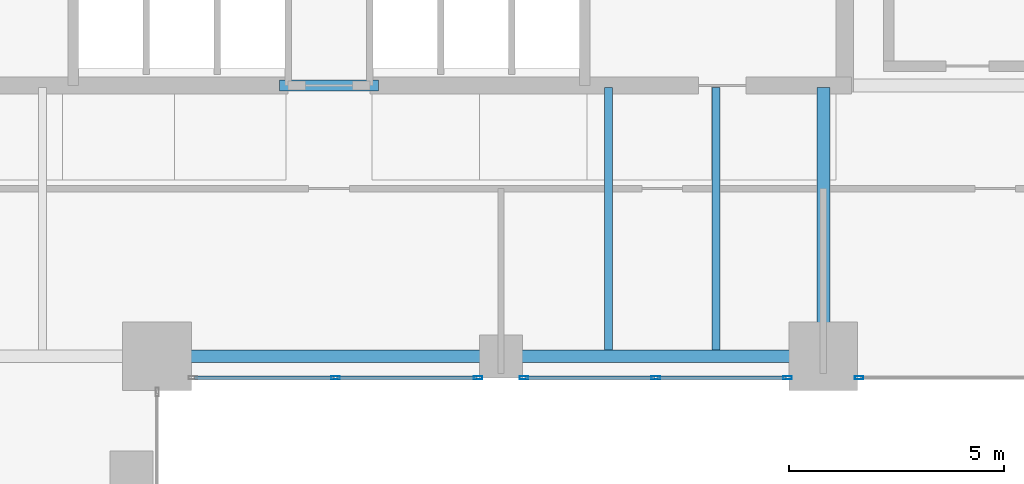
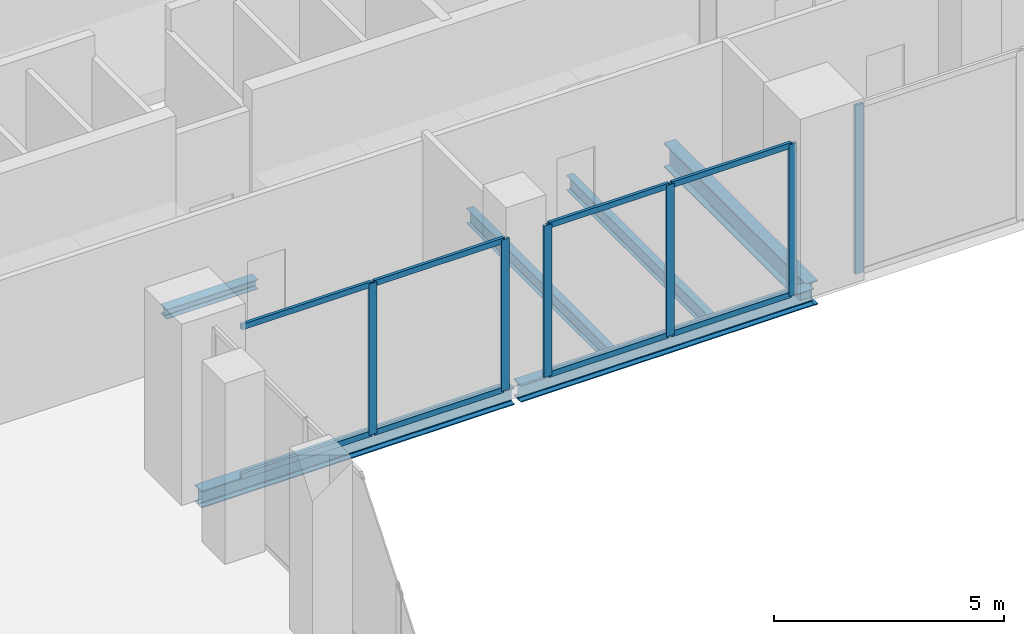
# One storey, part 10 of 24: 14 members, 6 beams, 3 elements without a shape of their own.
"""IFC4 building model written with IfcOpenShell, lengths in metres."""

from ifc_helpers import new_model, si_unit, direction, frame, origin, origin_2d, place, context, subcontext, project, spatial, hollow_rectangle, i_section, extrude, material, layer, layer_set, material_profile, profile_set, type_object, element, aggregate, save


model = new_model("IFC4")

# Units and contexts
model_context = context("Model", 3, precision=1e-05, world=origin(), true_north=direction((0.0, 1.0)))
body_context = subcontext(model_context, "Body", "Model", "MODEL_VIEW")
ifc_project = project(units=[si_unit("LENGTHUNIT", "METRE"), si_unit("AREAUNIT", "SQUARE_METRE"), si_unit("VOLUMEUNIT", "CUBIC_METRE"), si_unit("PLANEANGLEUNIT", "RADIAN"), si_unit("MASSUNIT", "GRAM", prefix="KILO")], contexts=[model_context])

# Site, building, storey
site_placement = place(None, origin())
site = spatial("IfcSite", under=ifc_project, at=site_placement, CompositionType="ELEMENT")
building_placement = place(site_placement, origin())
building = spatial("IfcBuilding", under=site, at=building_placement, Name="Catumbela Crestline Tower", CompositionType="ELEMENT")
storey_placement = place(building_placement, frame((0.0, 0.0, 11.1)))
storey = spatial("IfcBuildingStorey", under=building, at=storey_placement, Name="L02", CompositionType="ELEMENT", Elevation=11.1)

# Beams
ifc_material_1 = material(Name="Structural steel S355J2", Category="steel")
ifc_material_profile_1 = material_profile(ifc_material_1, i_section(OverallWidth=0.3, OverallDepth=0.64, WebThickness=0.0135, FlangeThickness=0.026, FilletRadius=0.027, at=origin_2d()), Name="HEA 650")
ifc_profile_set_1 = profile_set([ifc_material_profile_1], Name="Structural steel S355J2")
beam_type_1 = type_object("IfcBeamType", Name="BG-HEA650", PredefinedType="BEAM", material=ifc_profile_set_1)
beam_1_placement = place(storey_placement, frame((39.5, 24.58, -0.64), z_axis=(0.0, 1.0, 0.0), x_axis=(-1.0, 0.0, 0.0)))
element("IfcBeam", 1, at=beam_1_placement, inside=storey, type_object=beam_type_1, Name="L02 Beam BM-L02-SNS32", PredefinedType="BEAM", context=body_context, shape_type="SweptSolid", body=[
    extrude(i_section(OverallWidth=0.3, OverallDepth=0.64, WebThickness=0.0135, FlangeThickness=0.026, FilletRadius=0.027, at=origin_2d()), origin(), (0.0, 0.0, 1.0), 6.17),
])
ifc_material_profile_2 = material_profile(ifc_material_1, i_section(OverallWidth=0.26, OverallDepth=0.25, WebThickness=0.0075, FlangeThickness=0.0125, FilletRadius=0.024, at=origin_2d()), Name="HEA 260")
ifc_profile_set_2 = profile_set([ifc_material_profile_2], Name="Structural steel S355J2")
beam_type_2 = type_object("IfcBeamType", Name="BL-240", PredefinedType="LINTEL", material=ifc_profile_set_2)
beam_2_placement = place(storey_placement, frame((26.85, 30.8, -0.445), z_axis=(1.0, 0.0, 0.0), x_axis=(0.0, 1.0, 0.0)))
element("IfcBeam", 2, at=beam_2_placement, inside=storey, type_object=beam_type_2, Name="L02 Core Lobby Portal Lintel Beam", PredefinedType="LINTEL", context=body_context, shape_type="SweptSolid", body=[
    extrude(i_section(OverallWidth=0.26, OverallDepth=0.25, WebThickness=0.0075, FlangeThickness=0.0125, FilletRadius=0.024, at=origin_2d()), origin(), (0.0, 0.0, 1.0), 2.3),
])
ifc_material_profile_3 = material_profile(ifc_material_1, i_section(OverallWidth=0.18, OverallDepth=0.4, WebThickness=0.0086, FlangeThickness=0.0135, FilletRadius=0.021, at=origin_2d()), Name="IPE 400")
ifc_profile_set_3 = profile_set([ifc_material_profile_3], Name="Structural steel S355J2")
beam_type_3 = type_object("IfcBeamType", Name="BJ-IPE400", PredefinedType="JOIST", material=ifc_profile_set_3)
for number, where, z_axis, x_axis, name in (
    (3, (34.5, 24.647, -0.52), (0.0, 1.0, 0.0), (-1.0, 0.0, 0.0), "L02 Joist JS-L02-SP41"),
    (4, (37.0, 24.647, -0.52), (0.0, 1.0, 0.0), (-1.0, 0.0, 0.0), "L02 Joist JS-L02-SP42"),
):
    element("IfcBeam", number, at=place(storey_placement, frame(where, z_axis=z_axis, x_axis=x_axis)), inside=storey, type_object=beam_type_3, Name=name, PredefinedType="JOIST", context=body_context, shape_type="SweptSolid", body=[
        extrude(i_section(OverallWidth=0.18, OverallDepth=0.4, WebThickness=0.0086, FlangeThickness=0.0135, FilletRadius=0.021, at=origin_2d()), origin(), (0.0, 0.0, 1.0), 6.103),
    ])

# Curtain wall, members
ifc_material_2 = material(Name="Aluminium alloy AW-6060-T66", Category="aluminium")
ifc_layer = layer(ifc_material_2, 0.18, Name="Aluminium alloy AW-6060-T66")
ifc_layer_set = layer_set([ifc_layer], Name="Aluminium alloy AW-6060-T66")
curtain_wall_type = type_object("IfcCurtainWallType", Name="CWS-POD", PredefinedType="USERDEFINED", material=ifc_layer_set)
curtain_wall_1_placement = place(storey_placement, origin())
curtain_wall_1 = element("IfcCurtainWall", 5, at=curtain_wall_1_placement, inside=storey, type_object=curtain_wall_type, Name="L02 Stick Curtain Wall CW-L02-E3S1", ObjectType="STICK", PredefinedType="USERDEFINED")
ifc_material_profile_4 = material_profile(ifc_material_2, hollow_rectangle(XDim=0.075, YDim=0.2, WallThickness=0.005, at=origin_2d()), Name="ALU 200x75x5")
ifc_profile_set_4 = profile_set([ifc_material_profile_4], Name="Aluminium alloy AW-6060-T66")
member_type_1 = type_object("IfcMemberType", Name="MUL-200X75", PredefinedType="MULLION", material=ifc_profile_set_4)
member_1_placement = place(storey_placement, frame((28.15, 24.0, 0.0), z_axis=(0.0, 0.0, 1.0), x_axis=(0.0, 1.0, 0.0)))
member_1 = element("IfcMember", 6, at=member_1_placement, type_object=member_type_1, Name="CWS-POD mullion 2", PredefinedType="MULLION", context=body_context, shape_type="SweptSolid", body=[
    extrude(hollow_rectangle(XDim=0.075, YDim=0.2, WallThickness=0.005, at=origin_2d()), origin(), (0.0, 0.0, 1.0), 4.01),
])
member_2_placement = place(storey_placement, frame((31.4675, 24.0, 0.0), z_axis=(0.0, 0.0, 1.0), x_axis=(0.0, 1.0, 0.0)))
member_2 = element("IfcMember", 7, at=member_2_placement, type_object=member_type_1, Name="CWS-POD mullion 3", PredefinedType="MULLION", context=body_context, shape_type="SweptSolid", body=[
    extrude(hollow_rectangle(XDim=0.075, YDim=0.2, WallThickness=0.005, at=origin_2d()), origin(), (0.0, 0.0, 1.0), 4.01),
])

curtain_wall_2_placement = place(storey_placement, origin())
curtain_wall_2 = element("IfcCurtainWall", 8, at=curtain_wall_2_placement, inside=storey, type_object=curtain_wall_type, Name="L02 Stick Curtain Wall CW-L02-E3S2", ObjectType="STICK", PredefinedType="USERDEFINED")
member_3_placement = place(storey_placement, frame((32.5325, 24.0, 0.0), z_axis=(0.0, 0.0, 1.0), x_axis=(0.0, 1.0, 0.0)))
member_3 = element("IfcMember", 9, at=member_3_placement, type_object=member_type_1, Name="CWS-POD mullion 1", PredefinedType="MULLION", context=body_context, shape_type="SweptSolid", body=[
    extrude(hollow_rectangle(XDim=0.075, YDim=0.2, WallThickness=0.005, at=origin_2d()), origin(), (0.0, 0.0, 1.0), 4.01),
])
member_4_placement = place(storey_placement, frame((35.6, 24.0, 0.0), z_axis=(0.0, 0.0, 1.0), x_axis=(0.0, 1.0, 0.0)))
member_4 = element("IfcMember", 10, at=member_4_placement, type_object=member_type_1, Name="CWS-POD mullion 2", PredefinedType="MULLION", context=body_context, shape_type="SweptSolid", body=[
    extrude(hollow_rectangle(XDim=0.075, YDim=0.2, WallThickness=0.005, at=origin_2d()), origin(), (0.0, 0.0, 1.0), 4.01),
])
member_5_placement = place(storey_placement, frame((38.6675, 24.0, 0.0), z_axis=(0.0, 0.0, 1.0), x_axis=(0.0, 1.0, 0.0)))
member_5 = element("IfcMember", 11, at=member_5_placement, type_object=member_type_1, Name="CWS-POD mullion 3", PredefinedType="MULLION", context=body_context, shape_type="SweptSolid", body=[
    extrude(hollow_rectangle(XDim=0.075, YDim=0.2, WallThickness=0.005, at=origin_2d()), origin(), (0.0, 0.0, 1.0), 4.01),
])

# Curtain wall, member
curtain_wall_3_placement = place(storey_placement, origin())
curtain_wall_3 = element("IfcCurtainWall", 12, at=curtain_wall_3_placement, inside=storey, type_object=curtain_wall_type, Name="L02 Stick Curtain Wall CW-L02-E3S3", ObjectType="STICK", PredefinedType="USERDEFINED")
member_6_placement = place(storey_placement, frame((40.3325, 24.0, 0.0), z_axis=(0.0, 0.0, 1.0), x_axis=(0.0, 1.0, 0.0)))
member_6 = element("IfcMember", 13, at=member_6_placement, type_object=member_type_1, Name="CWS-POD mullion 1", PredefinedType="MULLION", context=body_context, shape_type="SweptSolid", body=[
    extrude(hollow_rectangle(XDim=0.075, YDim=0.2, WallThickness=0.005, at=origin_2d()), origin(), (0.0, 0.0, 1.0), 4.47),
])
aggregate(curtain_wall_3, [member_6])

# Beams
ifc_material_profile_5 = material_profile(ifc_material_1, i_section(OverallWidth=0.3, OverallDepth=0.45, WebThickness=0.014, FlangeThickness=0.026, FilletRadius=0.027, at=origin_2d()), Name="HEB 450")
ifc_profile_set_5 = profile_set([ifc_material_profile_5], Name="Structural steel S355J2")
beam_type_4 = type_object("IfcBeamType", Name="BS-HEB450", PredefinedType="SPANDREL", material=ifc_profile_set_5)
beam_3_placement = place(storey_placement, frame((24.08, 24.5, -0.545), z_axis=(1.0, 0.0, 0.0), x_axis=(0.0, 1.0, 0.0)))
element("IfcBeam", 14, at=beam_3_placement, inside=storey, type_object=beam_type_4, Name="L02 Spandrel SP-L02-S05", PredefinedType="SPANDREL", context=body_context, shape_type="SweptSolid", body=[
    extrude(i_section(OverallWidth=0.3, OverallDepth=0.45, WebThickness=0.014, FlangeThickness=0.026, FilletRadius=0.027, at=origin_2d()), origin(), (0.0, 0.0, 1.0), 7.84),
])
beam_4_placement = place(storey_placement, frame((32.08, 24.5, -0.545), z_axis=(1.0, 0.0, 0.0), x_axis=(0.0, 1.0, 0.0)))
element("IfcBeam", 15, at=beam_4_placement, inside=storey, type_object=beam_type_4, Name="L02 Spandrel SP-L02-S06", PredefinedType="SPANDREL", context=body_context, shape_type="SweptSolid", body=[
    extrude(i_section(OverallWidth=0.3, OverallDepth=0.45, WebThickness=0.014, FlangeThickness=0.026, FilletRadius=0.027, at=origin_2d()), origin(), (0.0, 0.0, 1.0), 7.34),
])

# Member
ifc_material_profile_6 = material_profile(ifc_material_2, hollow_rectangle(XDim=0.075, YDim=0.15, WallThickness=0.0045, at=origin_2d()), Name="ALU 150x75x4.5")
ifc_profile_set_6 = profile_set([ifc_material_profile_6], Name="Aluminium alloy AW-6060-T66")
member_type_2 = type_object("IfcMemberType", Name="TRN-150X75", PredefinedType="USERDEFINED", material=ifc_profile_set_6)
member_7_placement = place(storey_placement, frame((24.865, 24.0, 0.03), z_axis=(1.0, 0.0, 0.0), x_axis=(0.0, 1.0, 0.0)))
member_7 = element("IfcMember", 16, at=member_7_placement, type_object=member_type_2, Name="CWS-POD transom 1.1", ObjectType="TRANSOM", PredefinedType="USERDEFINED", context=body_context, shape_type="SweptSolid", body=[
    extrude(hollow_rectangle(XDim=0.075, YDim=0.15, WallThickness=0.0045, at=origin_2d()), origin(), (0.0, 0.0, 1.0), 3.2525),
])

member_8_placement = place(storey_placement, frame((24.865, 24.0, 3.98), z_axis=(1.0, 0.0, 0.0), x_axis=(0.0, 1.0, 0.0)))
member_8 = element("IfcMember", 17, at=member_8_placement, type_object=member_type_2, Name="CWS-POD transom 1.2", ObjectType="TRANSOM", PredefinedType="USERDEFINED", context=body_context, shape_type="SweptSolid", body=[
    extrude(hollow_rectangle(XDim=0.075, YDim=0.15, WallThickness=0.0045, at=origin_2d()), origin(), (0.0, 0.0, 1.0), 3.2525),
])

member_9_placement = place(storey_placement, frame((28.1825, 24.0, 0.03), z_axis=(1.0, 0.0, 0.0), x_axis=(0.0, 1.0, 0.0)))
member_9 = element("IfcMember", 18, at=member_9_placement, type_object=member_type_2, Name="CWS-POD transom 2.1", ObjectType="TRANSOM", PredefinedType="USERDEFINED", context=body_context, shape_type="SweptSolid", body=[
    extrude(hollow_rectangle(XDim=0.075, YDim=0.15, WallThickness=0.0045, at=origin_2d()), origin(), (0.0, 0.0, 1.0), 3.2525),
])

member_10_placement = place(storey_placement, frame((28.1825, 24.0, 3.98), z_axis=(1.0, 0.0, 0.0), x_axis=(0.0, 1.0, 0.0)))
member_10 = element("IfcMember", 19, at=member_10_placement, type_object=member_type_2, Name="CWS-POD transom 2.2", ObjectType="TRANSOM", PredefinedType="USERDEFINED", context=body_context, shape_type="SweptSolid", body=[
    extrude(hollow_rectangle(XDim=0.075, YDim=0.15, WallThickness=0.0045, at=origin_2d()), origin(), (0.0, 0.0, 1.0), 3.2525),
])

aggregate(curtain_wall_1, [member_1, member_2, member_7, member_8, member_9, member_10])

member_11_placement = place(storey_placement, frame((32.565, 24.0, 0.03), z_axis=(1.0, 0.0, 0.0), x_axis=(0.0, 1.0, 0.0)))
member_11 = element("IfcMember", 20, at=member_11_placement, type_object=member_type_2, Name="CWS-POD transom 1.1", ObjectType="TRANSOM", PredefinedType="USERDEFINED", context=body_context, shape_type="SweptSolid", body=[
    extrude(hollow_rectangle(XDim=0.075, YDim=0.15, WallThickness=0.0045, at=origin_2d()), origin(), (0.0, 0.0, 1.0), 3.0025),
])

member_12_placement = place(storey_placement, frame((32.565, 24.0, 3.98), z_axis=(1.0, 0.0, 0.0), x_axis=(0.0, 1.0, 0.0)))
member_12 = element("IfcMember", 21, at=member_12_placement, type_object=member_type_2, Name="CWS-POD transom 1.2", ObjectType="TRANSOM", PredefinedType="USERDEFINED", context=body_context, shape_type="SweptSolid", body=[
    extrude(hollow_rectangle(XDim=0.075, YDim=0.15, WallThickness=0.0045, at=origin_2d()), origin(), (0.0, 0.0, 1.0), 3.0025),
])

member_13_placement = place(storey_placement, frame((35.6325, 24.0, 0.03), z_axis=(1.0, 0.0, 0.0), x_axis=(0.0, 1.0, 0.0)))
member_13 = element("IfcMember", 22, at=member_13_placement, type_object=member_type_2, Name="CWS-POD transom 2.1", ObjectType="TRANSOM", PredefinedType="USERDEFINED", context=body_context, shape_type="SweptSolid", body=[
    extrude(hollow_rectangle(XDim=0.075, YDim=0.15, WallThickness=0.0045, at=origin_2d()), origin(), (0.0, 0.0, 1.0), 3.0025),
])

member_14_placement = place(storey_placement, frame((35.6325, 24.0, 3.98), z_axis=(1.0, 0.0, 0.0), x_axis=(0.0, 1.0, 0.0)))
member_14 = element("IfcMember", 23, at=member_14_placement, type_object=member_type_2, Name="CWS-POD transom 2.2", ObjectType="TRANSOM", PredefinedType="USERDEFINED", context=body_context, shape_type="SweptSolid", body=[
    extrude(hollow_rectangle(XDim=0.075, YDim=0.15, WallThickness=0.0045, at=origin_2d()), origin(), (0.0, 0.0, 1.0), 3.0025),
])

aggregate(curtain_wall_2, [member_3, member_4, member_5, member_11, member_12, member_13, member_14])

save(model, "model.ifc")
